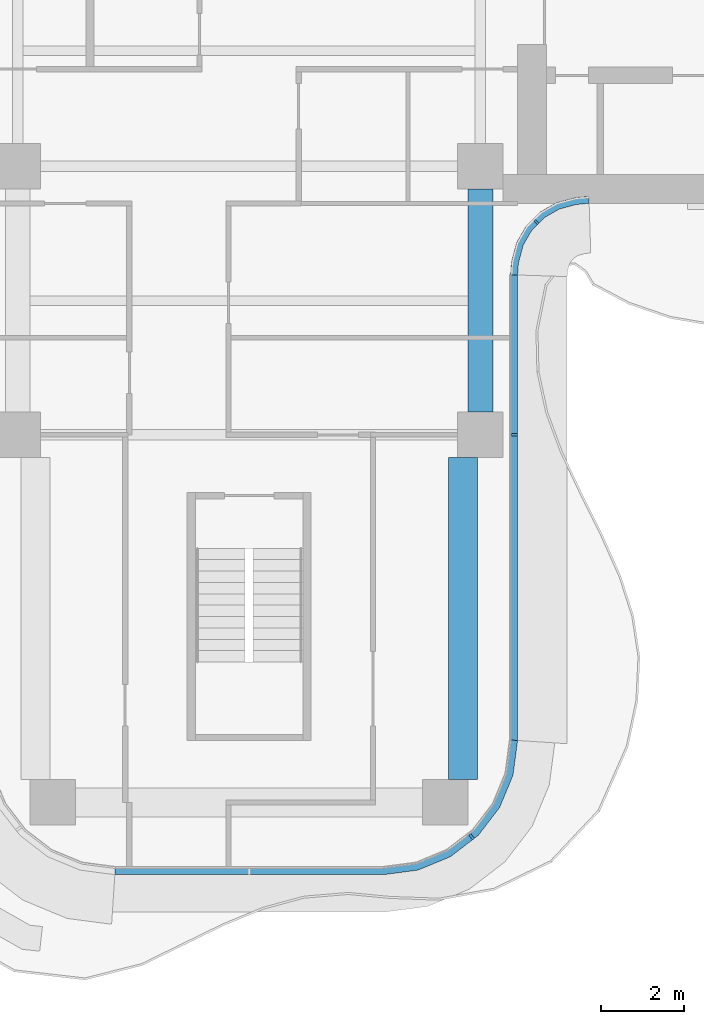
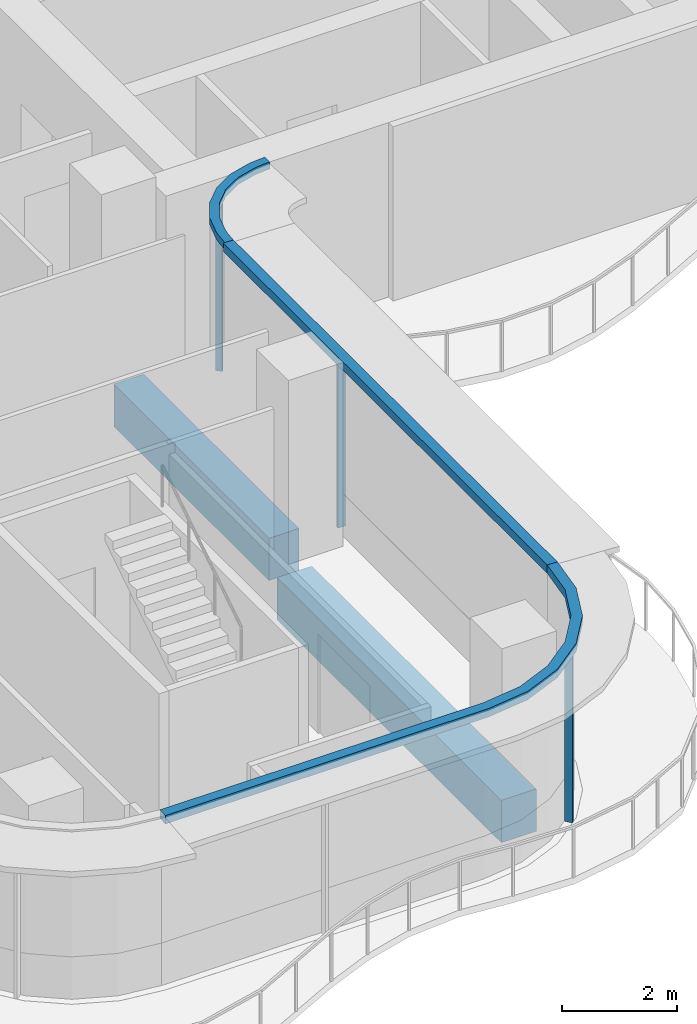
# One storey, part 5 of 17: 6 members, 2 beams, 3 elements without a shape of their own.
"""IFC4 building model written with IfcOpenShell, lengths in metres."""

from ifc_helpers import new_model, si_unit, direction, frame, origin, origin_2d, place, context, subcontext, project, spatial, polyline, rectangle, outline, extrude, source, transform, mapped, material, layer, layer_set, material_profile, profile_set, type_object, element, aggregate, save


model = new_model("IFC4")

# Units and contexts
model_context = context("Model", 3, precision=1e-05, world=origin(), true_north=direction((0.0, 1.0)))
body_context = subcontext(model_context, "Body", "Model", "MODEL_VIEW")
ifc_project = project(units=[si_unit("LENGTHUNIT", "METRE"), si_unit("AREAUNIT", "SQUARE_METRE"), si_unit("VOLUMEUNIT", "CUBIC_METRE"), si_unit("PLANEANGLEUNIT", "RADIAN"), si_unit("MASSUNIT", "GRAM", prefix="KILO")], contexts=[model_context])

# Site, building, storey
site_placement = place(None, origin())
site = spatial("IfcSite", under=ifc_project, at=site_placement, CompositionType="ELEMENT")
building_placement = place(site_placement, origin())
building = spatial("IfcBuilding", under=site, at=building_placement, Name="Trellis Farm Tower", CompositionType="ELEMENT")
storey_placement = place(building_placement, frame((0.0, 0.0, 259.699951171875)))
storey = spatial("IfcBuildingStorey", under=building, at=storey_placement, Name="L58", CompositionType="ELEMENT", Elevation=259.699951171875)

# Beams
ifc_material_1 = material(Name="Concrete C60/75", Category="concrete")
ifc_material_profile_1 = material_profile(ifc_material_1, rectangle(XDim=0.60009765625, YDim=0.89990234375, at=origin_2d()), Name="RC spandrel beam 600x900 C60/75")
ifc_profile_set_1 = profile_set([ifc_material_profile_1], Name="Concrete C60/75")
beam_type_1 = type_object("IfcBeamType", Name="RC spandrel beam 600x900 C60/75", PredefinedType="SPANDREL", material=ifc_profile_set_1)
shared_shape_1 = source(origin(), body_context, "Body", "SweptSolid", [
    extrude(rectangle(XDim=0.60009765625, YDim=0.89990234375, at=origin_2d()), origin(), (0.0, 0.0, 1.0), 5.400146484375),
])
beam_1_placement = place(storey_placement, frame((5.60009765625, -11.550048828125, -0.64990234375), z_axis=(0.0, 1.0, 0.0), x_axis=(-1.0, 0.0, 0.0)))
element("IfcBeam", 1, at=beam_1_placement, inside=storey, type_object=beam_type_1, Name="Girder", PredefinedType="SPANDREL", context=body_context, shape_type="MappedRepresentation", body=[
    mapped(shared_shape_1, transform((0.0, 0.0, 0.0))),
])
ifc_material_profile_2 = material_profile(ifc_material_1, rectangle(XDim=0.699951171875, YDim=0.89990234375, at=origin_2d()), Name="RC spandrel beam 700x900 C60/75")
ifc_profile_set_2 = profile_set([ifc_material_profile_2], Name="Concrete C60/75")
beam_type_2 = type_object("IfcBeamType", Name="RC spandrel beam 700x900 C60/75", PredefinedType="SPANDREL", material=ifc_profile_set_2)
shared_shape_2 = source(origin(), body_context, "Body", "SweptSolid", [
    extrude(rectangle(XDim=0.699951171875, YDim=0.89990234375, at=origin_2d()), origin(), (0.0, 0.0, 1.0), 7.800048828125),
])
beam_2_placement = place(storey_placement, frame((5.175048828125, -20.449951171875, -0.64990234375), z_axis=(0.0, 1.0, 0.0), x_axis=(-1.0, 0.0, 0.0)))
element("IfcBeam", 2, at=beam_2_placement, inside=storey, type_object=beam_type_2, Name="Girder", PredefinedType="SPANDREL", context=body_context, shape_type="MappedRepresentation", body=[
    mapped(shared_shape_2, transform((0.0, 0.0, 0.0))),
])

# Curtain wall, member
ifc_material_2 = material(Name="Aluminium and glass curtain wall", Category="aluminium")
ifc_layer_1 = layer(ifc_material_2, 0.166015625)
ifc_layer_set_1 = layer_set([ifc_layer_1], Name="WINTER GARDEN CURTAIN WALL CW3")
curtain_wall_type_1 = type_object("IfcCurtainWallType", Name="WINTER GARDEN CURTAIN WALL CW3", PredefinedType="NOTDEFINED", material=ifc_layer_set_1)
placement_1 = place(storey_placement, origin())
curtain_wall_1 = element("IfcCurtainWall", 3, at=placement_1, inside=storey, type_object=curtain_wall_type_1, Name="CW3 002", PredefinedType="NOTDEFINED")
ifc_material_3 = material(Name="Aluminium extrusion 6063-T6", Category="aluminium")
ifc_layer_2 = layer(ifc_material_3, 0.169921875)
ifc_layer_set_2 = layer_set([ifc_layer_2], Name="Aluminium extrusion 6063-T6")
member_type_1 = type_object("IfcMemberType", Name="CW3 TRANSOM 170x150", PredefinedType="USERDEFINED", material=ifc_layer_set_2)
shared_shape_3 = source(origin(), body_context, "Body", "SweptSolid", [
    extrude(outline(polyline([(6.5, -8.2314453125), (6.513916015625, -8.01953125), (6.527587890625, -7.91552734375), (6.63671875, -7.508544921875), (6.846923828125, -7.144287109375), (7.144287109375, -6.846923828125), (7.508544921875, -6.63671875), (7.91552734375, -6.527587890625), (8.01953125, -6.513916015625), (8.2314453125, -6.5), (8.225830078125, -6.330078125), (8.0029296875, -6.3447265625), (7.88232421875, -6.360595703125), (7.44287109375, -6.478271484375), (7.0400390625, -6.7109375), (6.7109375, -7.0400390625), (6.478271484375, -7.44287109375), (6.360595703125, -7.88232421875), (6.3447265625, -8.0029296875), (6.330078125, -8.225830078125), (6.5, -8.2314453125)])), origin(), (0.0, 0.0, 1.0), 0.14990234375),
])
member_1_placement = place(storey_placement, frame((0.0, 0.0, 3.550048828125)))
member_1 = element("IfcMember", 4, at=member_1_placement, type_object=member_type_1, Name="TR3 002", ObjectType="TRANSOM", PredefinedType="USERDEFINED", context=body_context, shape_type="MappedRepresentation", body=[
    mapped(shared_shape_3, transform((0.0, 0.0, 0.0))),
])

ifc_layer_3 = layer(ifc_material_2, 0.18994140625)
ifc_layer_set_3 = layer_set([ifc_layer_3], Name="RIBBON CURTAIN WALL CW1")
curtain_wall_type_2 = type_object("IfcCurtainWallType", Name="RIBBON CURTAIN WALL CW1", PredefinedType="NOTDEFINED", material=ifc_layer_set_3)
curtain_wall_2 = element("IfcCurtainWall", 5, at=placement_1, inside=storey, type_object=curtain_wall_type_2, Name="CW1 003", PredefinedType="NOTDEFINED")
ifc_material_profile_3 = material_profile(ifc_material_3, rectangle(XDim=0.06005859375, YDim=0.14990234375, at=origin_2d()), Name="MULLION 60x150")
ifc_profile_set_3 = profile_set([ifc_material_profile_3], Name="Aluminium extrusion 6063-T6")
member_type_2 = type_object("IfcMemberType", Name="CW1 MULLION 60x150", PredefinedType="MULLION", material=ifc_profile_set_3)
shared_shape_4 = source(origin(), body_context, "Body", "SweptSolid", [
    extrude(rectangle(XDim=0.06005859375, YDim=0.14990234375, at=origin_2d()), origin(), (0.0, 0.0, 1.0), 3.52001953125),
])
member_2_placement = place(storey_placement, frame((5.385498046875, -21.828369140625, 0.0), z_axis=(0.0, 0.0, 1.0), x_axis=(0.793353340291, 0.608761429009, 0.0)))
member_2 = element("IfcMember", 6, at=member_2_placement, type_object=member_type_2, Name="MU1 003-02", PredefinedType="MULLION", context=body_context, shape_type="MappedRepresentation", body=[
    mapped(shared_shape_4, transform((0.0, 0.0, 0.0))),
])

curtain_wall_3 = element("IfcCurtainWall", 7, at=placement_1, inside=storey, type_object=curtain_wall_type_2, Name="CW1 004", PredefinedType="NOTDEFINED")
member_3_placement = place(storey_placement, frame((6.425048828125, -12.10009765625, 0.0), z_axis=(0.0, 0.0, 1.0), x_axis=(0.0, 1.0, 0.0)))
member_3 = element("IfcMember", 8, at=member_3_placement, type_object=member_type_2, Name="MU1 004-01", PredefinedType="MULLION", context=body_context, shape_type="MappedRepresentation", body=[
    mapped(shared_shape_4, transform((0.0, 0.0, 0.0))),
])

# Member
ifc_material_profile_4 = material_profile(ifc_material_3, rectangle(XDim=0.050048828125, YDim=0.1201171875, at=origin_2d()), Name="MULLION 50x120")
ifc_profile_set_4 = profile_set([ifc_material_profile_4], Name="Aluminium extrusion 6063-T6")
member_type_3 = type_object("IfcMemberType", Name="CW3 MULLION 50x120", PredefinedType="MULLION", material=ifc_profile_set_4)
shared_shape_5 = source(origin(), body_context, "Body", "SweptSolid", [
    extrude(rectangle(XDim=0.050048828125, YDim=0.1201171875, at=origin_2d()), origin(), (0.0, 0.0, 1.0), 3.550048828125),
])
member_4_placement = place(storey_placement, frame((6.953125, -6.953125, 0.0), z_axis=(0.0, 0.0, 1.0), x_axis=(0.707106781187, 0.707106781187, 0.0)))
member_4 = element("IfcMember", 9, at=member_4_placement, type_object=member_type_3, Name="MU3 002-01", PredefinedType="MULLION", context=body_context, shape_type="MappedRepresentation", body=[
    mapped(shared_shape_5, transform((0.0, 0.0, 0.0))),
])

aggregate(curtain_wall_1, [member_4, member_1])

ifc_layer_4 = layer(ifc_material_3, 0.199951171875)
ifc_layer_set_4 = layer_set([ifc_layer_4], Name="Aluminium extrusion 6063-T6")
member_type_4 = type_object("IfcMemberType", Name="CW1 TRANSOM 200x180", PredefinedType="USERDEFINED", material=ifc_layer_set_4)
shared_shape_6 = source(origin(), body_context, "Body", "SweptSolid", [
    extrude(outline(polyline([(-3.25, -22.75), (3.25, -22.75), (4.091064453125, -22.63916015625), (4.875, -22.314697265625), (5.548095703125, -21.798095703125), (6.064697265625, -21.125), (6.38916015625, -20.341064453125), (6.5, -19.5), (6.300048828125, -19.48681640625), (6.1943359375, -20.2890625), (5.889892578125, -21.024169921875), (5.405517578125, -21.655517578125), (4.774169921875, -22.139892578125), (4.0390625, -22.4443359375), (3.23681640625, -22.550048828125), (-3.23681640625, -22.550048828125), (-3.25, -22.75)])), origin(), (0.0, 0.0, 1.0), 0.179931640625),
])
placement_2 = place(storey_placement, frame((0.0, 0.0, 3.52001953125)))
member_5 = element("IfcMember", 10, at=placement_2, type_object=member_type_4, Name="TR1 003", ObjectType="TRANSOM", PredefinedType="USERDEFINED", context=body_context, shape_type="MappedRepresentation", body=[
    mapped(shared_shape_6, transform((0.0, 0.0, 0.0))),
])

aggregate(curtain_wall_2, [member_2, member_5])

shared_shape_7 = source(origin(), body_context, "Body", "SweptSolid", [
    extrude(outline(polyline([(6.5, -19.5), (6.5, -8.2314453125), (6.300048828125, -8.224853515625), (6.300048828125, -19.48681640625), (6.5, -19.5)])), origin(), (0.0, 0.0, 1.0), 0.179931640625),
])
member_6 = element("IfcMember", 11, at=placement_2, type_object=member_type_4, Name="TR1 004", ObjectType="TRANSOM", PredefinedType="USERDEFINED", context=body_context, shape_type="MappedRepresentation", body=[
    mapped(shared_shape_7, transform((0.0, 0.0, 0.0))),
])

aggregate(curtain_wall_3, [member_3, member_6])

save(model, "model.ifc")
